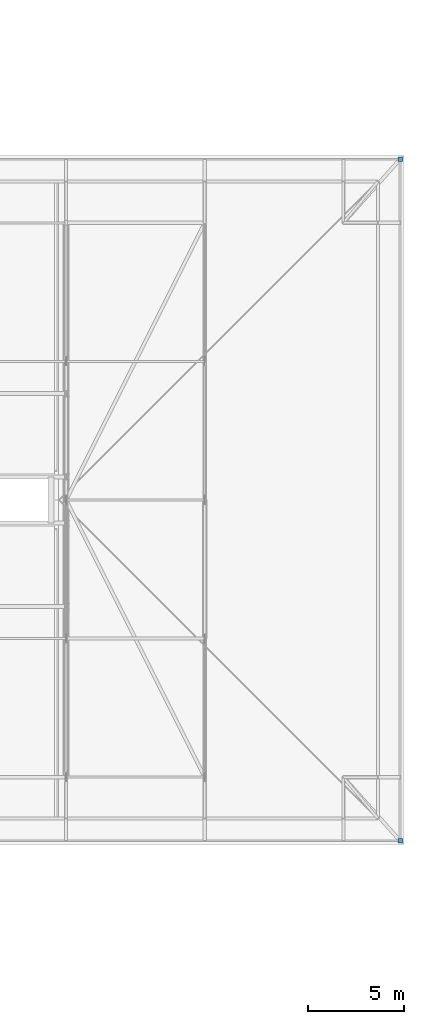
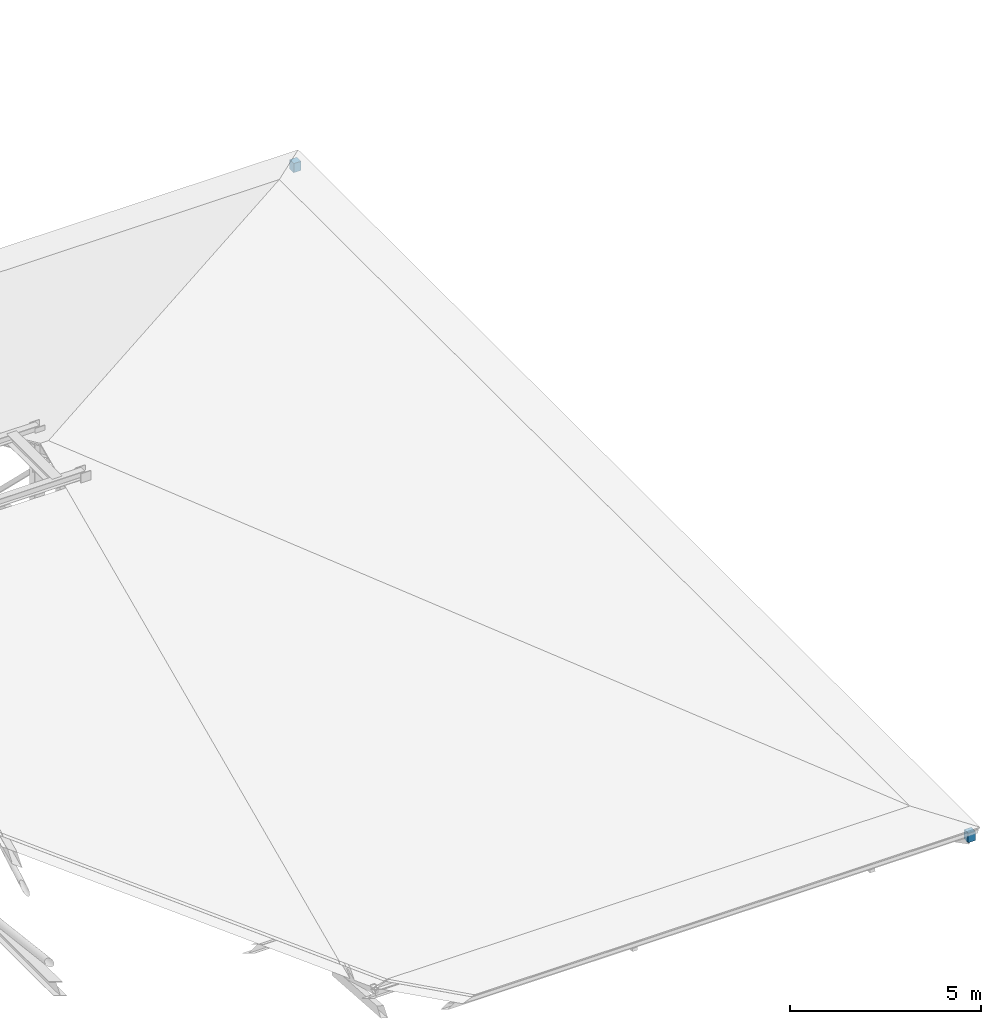
# One storey, part 89 of 100: 2 discrete accessories.
"""IFC4 building model written with IfcOpenShell, lengths in metres."""

from ifc_helpers import new_model, si_unit, direction, frame, origin, origin_2d, place, context, subcontext, project, spatial, rectangle, extrude, material, type_object, element, save


model = new_model("IFC4")

# Units and contexts
model_context = context("Model", 3, precision=1e-05, world=origin(), true_north=direction((0.0, 1.0)))
body_context = subcontext(model_context, "Body", "Model", "MODEL_VIEW")
ifc_project = project(units=[si_unit("LENGTHUNIT", "METRE"), si_unit("AREAUNIT", "SQUARE_METRE"), si_unit("VOLUMEUNIT", "CUBIC_METRE"), si_unit("PLANEANGLEUNIT", "RADIAN"), si_unit("MASSUNIT", "GRAM", prefix="KILO")], contexts=[model_context])

# Site, building, storey
site_placement = place(None, origin())
site = spatial("IfcSite", under=ifc_project, at=site_placement, CompositionType="ELEMENT")
building_placement = place(site_placement, origin())
building = spatial("IfcBuilding", under=site, at=building_placement, Name="Steenspoor Specialist Clinic", CompositionType="ELEMENT")
storey_placement = place(building_placement, frame((0.0, 0.0, 9.0)))
storey = spatial("IfcBuildingStorey", under=building, at=storey_placement, Name="L02", CompositionType="ELEMENT", Elevation=9.0)

# Discrete accessories
ifc_material = material(Name="Galvanised steel mounting bracket", Category="steel")
discrete_accessory_type = type_object("IfcDiscreteAccessoryType", Name="ACC-BRACKET-FIN", PredefinedType="BRACKET", material=ifc_material)
for number, where, z_axis, x_axis, name in (
    (1, (164.14990234375, 9.75, -0.39794921875), (0.0, 0.0, 1.0), (1.0, 0.0, 0.0), "Eave Corner Hip Bracket 75"),
    (2, (164.14990234375, 45.14990234375, -0.39794921875), (0.0, 0.0, 1.0), (1.0, 0.0, 0.0), "Eave Corner Hip Bracket 77"),
):
    element("IfcDiscreteAccessory", number, at=place(storey_placement, frame(where, z_axis=z_axis, x_axis=x_axis)), inside=storey, type_object=discrete_accessory_type, Name=name, PredefinedType="BRACKET", context=body_context, shape_type="SweptSolid", body=[
        extrude(rectangle(XDim=0.219970703125, YDim=0.219970703125, at=origin_2d()), origin(), (0.0, 0.0, 1.0), 0.293212890625),
    ])

save(model, "model.ifc")
